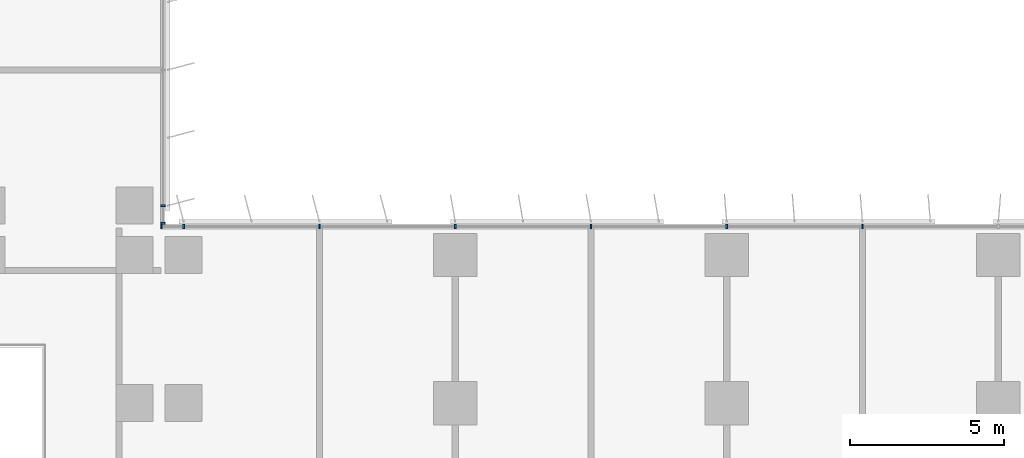
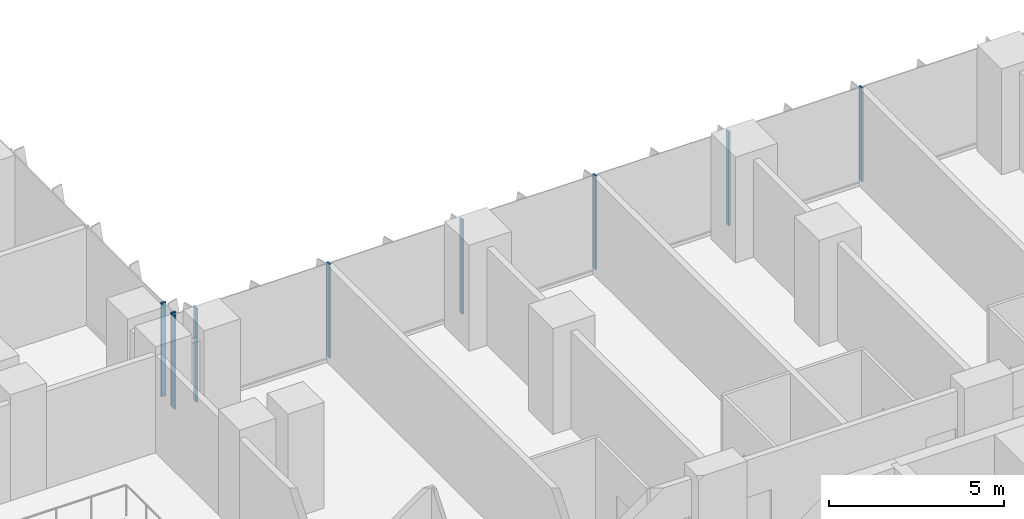
# One storey, part 2 of 24: 9 members, 2 elements without a shape of their own.
"""IFC4 building model written with IfcOpenShell, lengths in metres."""

from ifc_helpers import new_model, si_unit, direction, frame, origin, origin_2d, place, context, subcontext, project, spatial, rectangle, extrude, source, transform, mapped, material, material_profile, profile_set, type_object, element, aggregate, save


model = new_model("IFC4")

# Units and contexts
model_context = context("Model", 3, precision=1e-05, world=origin(), true_north=direction((0.0, 1.0)))
body_context = subcontext(model_context, "Body", "Model", "MODEL_VIEW")
ifc_project = project(units=[si_unit("LENGTHUNIT", "METRE"), si_unit("AREAUNIT", "SQUARE_METRE"), si_unit("VOLUMEUNIT", "CUBIC_METRE"), si_unit("PLANEANGLEUNIT", "RADIAN"), si_unit("MASSUNIT", "GRAM", prefix="KILO")], contexts=[model_context])

# Site, building, storey
site_placement = place(None, origin())
site = spatial("IfcSite", under=ifc_project, at=site_placement, CompositionType="ELEMENT")
building_placement = place(site_placement, origin())
building = spatial("IfcBuilding", under=site, at=building_placement, Name="Kemantara Hotel Tower", CompositionType="ELEMENT")
storey_placement = place(building_placement, frame((0.0, 0.0, 37.699951171875)))
storey = spatial("IfcBuildingStorey", under=building, at=storey_placement, Name="L07", CompositionType="ELEMENT", Elevation=37.699951171875)

# Curtain wall, members
ifc_material_1 = material(Name="Low-E tinted double insulated glass 36 mm", Category="glass")
curtain_wall_type = type_object("IfcCurtainWallType", Name="TOWER CURTAIN WALL, FRONT FACES", PredefinedType="USERDEFINED", material=ifc_material_1)
curtain_wall_1_placement = place(storey_placement, origin())
curtain_wall_1 = element("IfcCurtainWall", 1, at=curtain_wall_1_placement, inside=storey, type_object=curtain_wall_type, Name="CW4 L07 T1-R07-1", ObjectType="TOWER CURTAIN WALL, FRONT FACES", PredefinedType="USERDEFINED")
ifc_material_2 = material(Name="Aluminium 6063-T6 bronze anodised", Category="aluminium")
ifc_material_profile = material_profile(ifc_material_2, rectangle(XDim=0.14990234375, YDim=0.06005859375, at=origin_2d()), Name="TOWER CURTAIN WALL, FRONT FACES MULLION")
ifc_profile_set = profile_set([ifc_material_profile], Name="Aluminium 6063-T6 bronze anodised")
member_type = type_object("IfcMemberType", Name="TOWER CURTAIN WALL, FRONT FACES MULLION", PredefinedType="MULLION", material=ifc_profile_set)
shared_shape = source(origin(), body_context, "Body", "SweptSolid", [
    extrude(rectangle(XDim=0.14990234375, YDim=0.06005859375, at=origin_2d()), origin(), (0.0, 0.0, 1.0), 3.280029296875),
])
member_1_placement = place(storey_placement, frame((49.39990234375, 26.72509765625, 0.1201171875), z_axis=(0.0, 0.0, 1.0), x_axis=(0.0, -1.0, 0.0)))
member_1 = element("IfcMember", 2, at=member_1_placement, type_object=member_type, Name="CW4 mullion T1-R07-1.8", PredefinedType="MULLION", context=body_context, shape_type="MappedRepresentation", body=[
    mapped(shared_shape, transform((0.0, 0.0, 0.0))),
])
member_2_placement = place(storey_placement, frame((45.0, 26.72509765625, 0.1201171875), z_axis=(0.0, 0.0, 1.0), x_axis=(0.0, -1.0, 0.0)))
member_2 = element("IfcMember", 3, at=member_2_placement, type_object=member_type, Name="CW4 mullion T1-R07-1.9", PredefinedType="MULLION", context=body_context, shape_type="MappedRepresentation", body=[
    mapped(shared_shape, transform((0.0, 0.0, 0.0))),
])
member_3_placement = place(storey_placement, frame((40.60009765625, 26.72509765625, 0.1201171875), z_axis=(0.0, 0.0, 1.0), x_axis=(0.0, -1.0, 0.0)))
member_3 = element("IfcMember", 4, at=member_3_placement, type_object=member_type, Name="CW4 mullion T1-R07-1.10", PredefinedType="MULLION", context=body_context, shape_type="MappedRepresentation", body=[
    mapped(shared_shape, transform((0.0, 0.0, 0.0))),
])
member_4_placement = place(storey_placement, frame((36.199951171875, 26.72509765625, 0.1201171875), z_axis=(0.0, 0.0, 1.0), x_axis=(0.0, -1.0, 0.0)))
member_4 = element("IfcMember", 5, at=member_4_placement, type_object=member_type, Name="CW4 mullion T1-R07-1.11", PredefinedType="MULLION", context=body_context, shape_type="MappedRepresentation", body=[
    mapped(shared_shape, transform((0.0, 0.0, 0.0))),
])
member_5_placement = place(storey_placement, frame((31.800048828125, 26.72509765625, 0.1201171875), z_axis=(0.0, 0.0, 1.0), x_axis=(0.0, -1.0, 0.0)))
member_5 = element("IfcMember", 6, at=member_5_placement, type_object=member_type, Name="CW4 mullion T1-R07-1.12", PredefinedType="MULLION", context=body_context, shape_type="MappedRepresentation", body=[
    mapped(shared_shape, transform((0.0, 0.0, 0.0))),
])
member_6_placement = place(storey_placement, frame((27.39990234375, 26.72509765625, 0.1201171875), z_axis=(0.0, 0.0, 1.0), x_axis=(0.0, -1.0, 0.0)))
member_6 = element("IfcMember", 7, at=member_6_placement, type_object=member_type, Name="CW4 mullion T1-R07-1.13", PredefinedType="MULLION", context=body_context, shape_type="MappedRepresentation", body=[
    mapped(shared_shape, transform((0.0, 0.0, 0.0))),
])
member_7_placement = place(storey_placement, frame((26.679931640625, 26.72509765625, 0.1201171875), z_axis=(0.0, 0.0, 1.0), x_axis=(0.0, -1.0, 0.0)))
member_7 = element("IfcMember", 8, at=member_7_placement, type_object=member_type, Name="CW4 mullion T1-R07-1.14", PredefinedType="MULLION", context=body_context, shape_type="MappedRepresentation", body=[
    mapped(shared_shape, transform((0.0, 0.0, 0.0))),
])
aggregate(curtain_wall_1, [member_1, member_2, member_3, member_4, member_5, member_6, member_7])

curtain_wall_2_placement = place(storey_placement, origin())
curtain_wall_2 = element("IfcCurtainWall", 9, at=curtain_wall_2_placement, inside=storey, type_object=curtain_wall_type, Name="CW4 L07 T1-R08-1", ObjectType="TOWER CURTAIN WALL, FRONT FACES", PredefinedType="USERDEFINED")
member_8_placement = place(storey_placement, frame((26.72509765625, 26.830078125, 0.1201171875), z_axis=(0.0, 0.0, 1.0), x_axis=(-1.0, 0.0, 0.0)))
member_8 = element("IfcMember", 10, at=member_8_placement, type_object=member_type, Name="CW4 mullion T1-R08-1.1", PredefinedType="MULLION", context=body_context, shape_type="MappedRepresentation", body=[
    mapped(shared_shape, transform((0.0, 0.0, 0.0))),
])
member_9_placement = place(storey_placement, frame((26.72509765625, 27.39990234375, 0.1201171875), z_axis=(0.0, 0.0, 1.0), x_axis=(-1.0, 0.0, 0.0)))
member_9 = element("IfcMember", 11, at=member_9_placement, type_object=member_type, Name="CW4 mullion T1-R08-1.2", PredefinedType="MULLION", context=body_context, shape_type="MappedRepresentation", body=[
    mapped(shared_shape, transform((0.0, 0.0, 0.0))),
])
aggregate(curtain_wall_2, [member_8, member_9])

save(model, "model.ifc")
